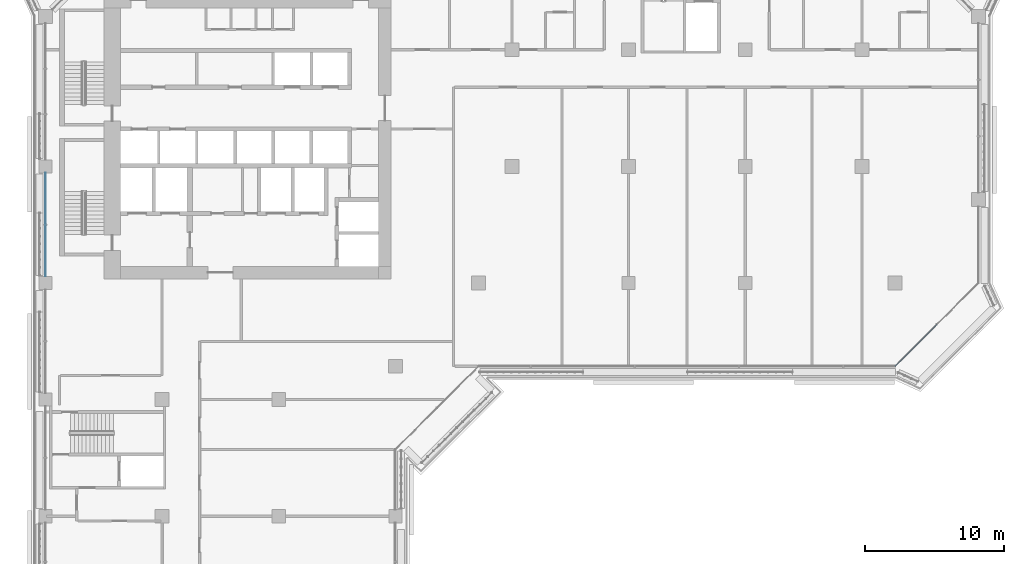
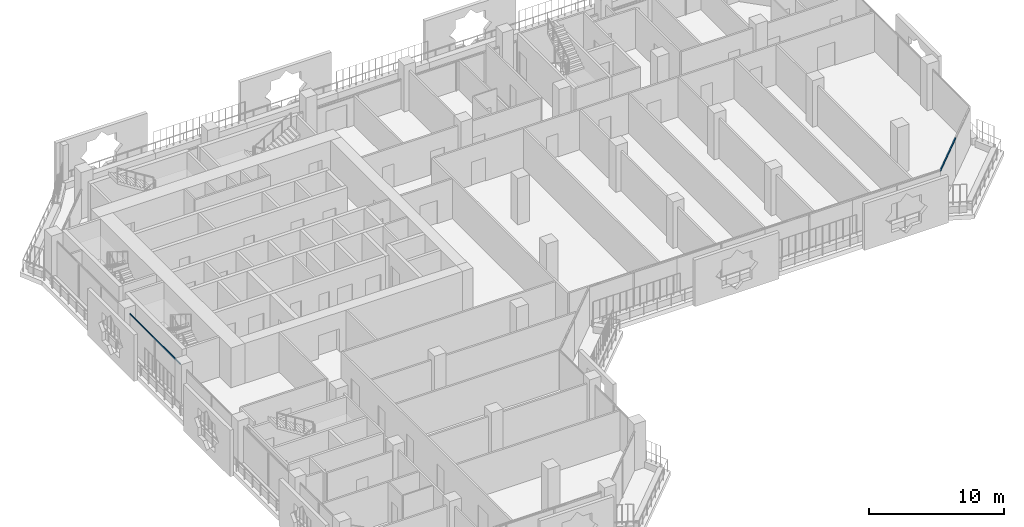
# One storey, part 4 of 21: 2 members, 2 elements without a shape of their own.
"""IFC4 building model written with IfcOpenShell, lengths in metres."""

from ifc_helpers import new_model, si_unit, direction, frame, origin, origin_2d, place, context, subcontext, project, spatial, rectangle, extrude, material, layer, layer_set, material_profile, profile_set, type_object, element, aggregate, save


model = new_model("IFC4")

# Units and contexts
model_context = context("Model", 3, precision=1e-05, world=origin(), true_north=direction((0.0, 1.0)))
body_context = subcontext(model_context, "Body", "Model", "MODEL_VIEW")
ifc_project = project(units=[si_unit("LENGTHUNIT", "METRE"), si_unit("AREAUNIT", "SQUARE_METRE"), si_unit("VOLUMEUNIT", "CUBIC_METRE"), si_unit("PLANEANGLEUNIT", "RADIAN"), si_unit("MASSUNIT", "GRAM", prefix="KILO")], contexts=[model_context])

# Site, building, storey
site_placement = place(None, origin())
site = spatial("IfcSite", under=ifc_project, at=site_placement, CompositionType="ELEMENT")
building_placement = place(site_placement, origin())
building = spatial("IfcBuilding", under=site, at=building_placement, Name="Kawkab Arch Medical Tower", CompositionType="ELEMENT")
storey_placement = place(building_placement, frame((0.0, 0.0, 200.39990234375)))
storey = spatial("IfcBuildingStorey", under=building, at=storey_placement, Name="L46", CompositionType="ELEMENT", Elevation=200.39990234375)

# Curtain wall, member
ifc_material_1 = material(Name="Bronze anodised aluminium curtain wall frame", Category="aluminium")
ifc_layer_1 = layer(ifc_material_1, 0.159912109375)
ifc_layer_set_1 = layer_set([ifc_layer_1], Name="Bronze anodised aluminium curtain wall frame")
curtain_wall_type_1 = type_object("IfcCurtainWallType", Name="CW1 ward curtain wall", PredefinedType="NOTDEFINED", material=ifc_layer_set_1)
placement = place(storey_placement, origin())
curtain_wall_1 = element("IfcCurtainWall", 1, at=placement, inside=storey, type_object=curtain_wall_type_1, Name="CW1 Ward curtain wall R01", PredefinedType="NOTDEFINED")
ifc_material_2 = material(Name="Bronze anodised aluminium curtain wall frame", Category="aluminium")
ifc_material_profile_1 = material_profile(ifc_material_2, rectangle(XDim=0.06005859375, YDim=0.1201171875, at=origin_2d()), Name="AL 60x120")
ifc_profile_set_1 = profile_set([ifc_material_profile_1], Name="Bronze anodised aluminium curtain wall frame")
member_type_1 = type_object("IfcMemberType", Name="CW1 transom 120 x 60", PredefinedType="USERDEFINED", material=ifc_profile_set_1)
member_1_placement = place(storey_placement, frame((0.0, -17.27490234375, 3.5400390625), z_axis=(0.0, -1.0, 0.0), x_axis=(1.0, 0.0, 0.0)))
member_1 = element("IfcMember", 2, at=member_1_placement, type_object=member_type_1, Name="CW1 transom 2", ObjectType="TRANSOM", PredefinedType="USERDEFINED", context=body_context, shape_type="SweptSolid", body=[
    extrude(rectangle(XDim=0.06005859375, YDim=0.1201171875, at=origin_2d()), origin(), (0.0, 0.0, 1.0), 7.4501953125),
])
aggregate(curtain_wall_1, [member_1])

ifc_material_3 = material(Name="Bronze anodised aluminium curtain wall frame", Category="aluminium")
ifc_layer_2 = layer(ifc_material_3, 0.159912109375)
ifc_layer_set_2 = layer_set([ifc_layer_2], Name="Bronze anodised aluminium curtain wall frame")
curtain_wall_type_2 = type_object("IfcCurtainWallType", Name="CW2 chamfer curtain wall", PredefinedType="NOTDEFINED", material=ifc_layer_set_2)
curtain_wall_2 = element("IfcCurtainWall", 3, at=placement, inside=storey, type_object=curtain_wall_type_2, Name="CW2 Chamfer curtain wall R08", PredefinedType="NOTDEFINED")
ifc_material_4 = material(Name="Bronze anodised aluminium curtain wall frame", Category="aluminium")
ifc_material_profile_2 = material_profile(ifc_material_4, rectangle(XDim=0.06005859375, YDim=0.139892578125, at=origin_2d()), Name="AL 60x140")
ifc_profile_set_2 = profile_set([ifc_material_profile_2], Name="Bronze anodised aluminium curtain wall frame")
member_type_2 = type_object("IfcMemberType", Name="CW2 transom 140 x 60", PredefinedType="USERDEFINED", material=ifc_profile_set_2)
member_2_placement = place(storey_placement, frame((61.199951171875, -31.199951171875, 3.530029296875), z_axis=(0.707106781187, 0.707106781187, 0.0), x_axis=(-0.707106781187, 0.707106781187, 0.0)))
member_2 = element("IfcMember", 4, at=member_2_placement, type_object=member_type_2, Name="CW2 transom 1", ObjectType="TRANSOM", PredefinedType="USERDEFINED", context=body_context, shape_type="SweptSolid", body=[
    extrude(rectangle(XDim=0.06005859375, YDim=0.139892578125, at=origin_2d()), origin(), (0.0, 0.0, 1.0), 4.24267578125),
])
aggregate(curtain_wall_2, [member_2])

save(model, "model.ifc")
